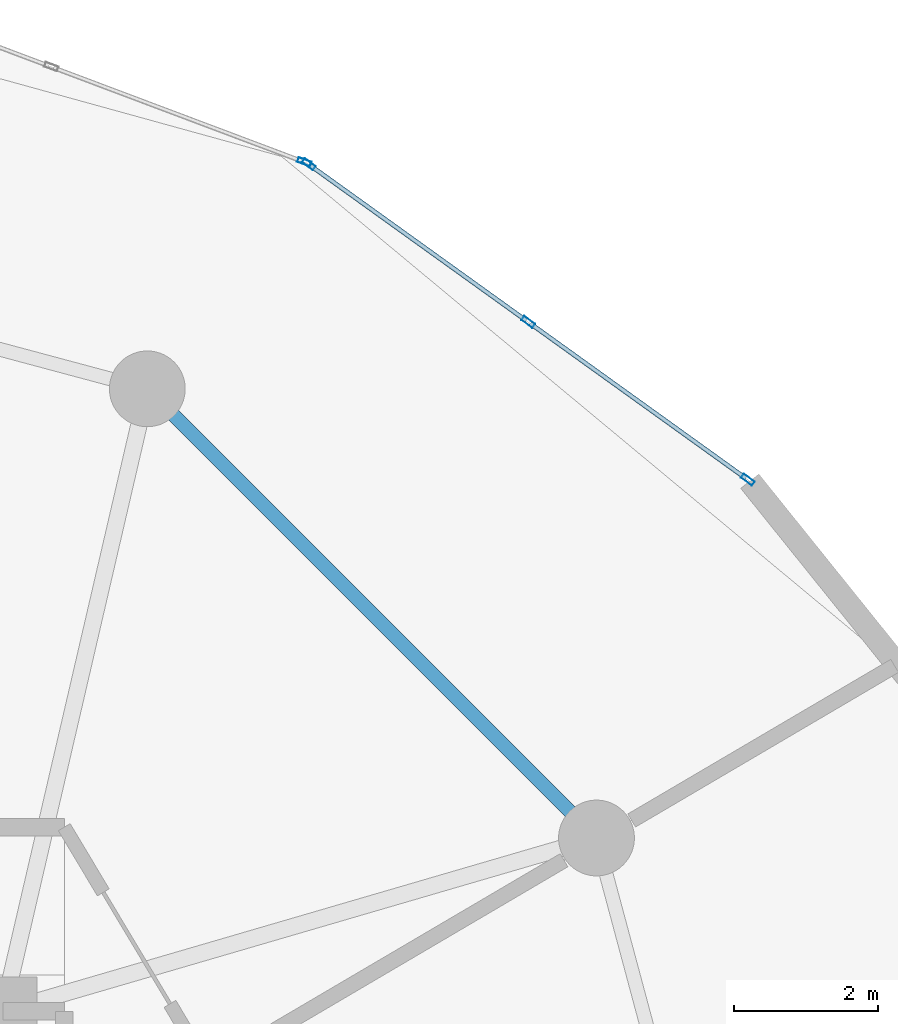
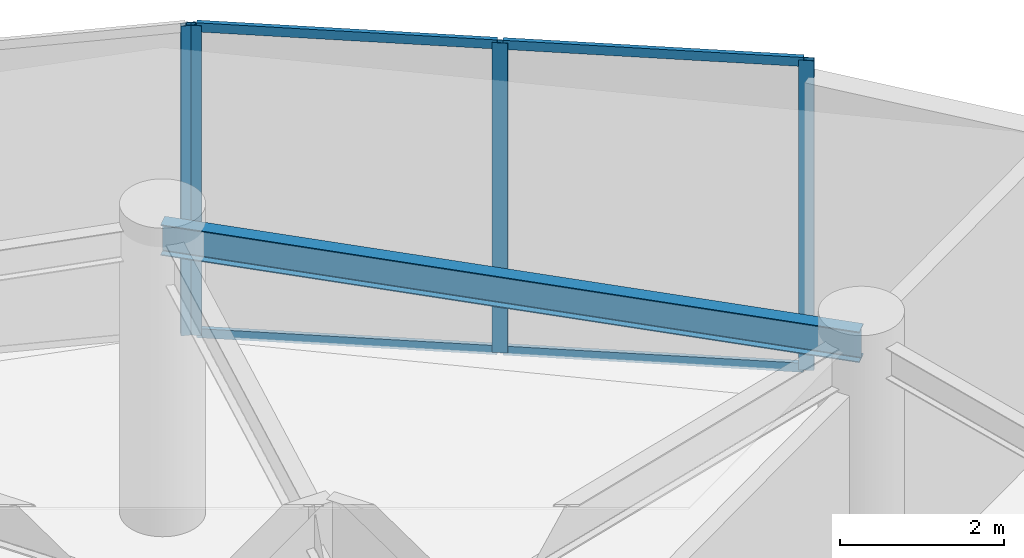
# One storey, part 22 of 28: 8 members, 1 beam, 2 elements without a shape of their own.
"""IFC4 building model written with IfcOpenShell, lengths in metres."""

from ifc_helpers import new_model, si_unit, direction, frame, origin, origin_2d, place, context, subcontext, project, spatial, hollow_rectangle, i_section, extrude, source, transform, mapped, material, layer, layer_set, material_profile, profile_set, type_object, element, aggregate, save


model = new_model("IFC4")

# Units and contexts
model_context = context("Model", 3, precision=1e-05, world=origin(), true_north=direction((0.0, 1.0)))
body_context = subcontext(model_context, "Body", "Model", "MODEL_VIEW")
ifc_project = project(units=[si_unit("LENGTHUNIT", "METRE"), si_unit("AREAUNIT", "SQUARE_METRE"), si_unit("VOLUMEUNIT", "CUBIC_METRE"), si_unit("PLANEANGLEUNIT", "RADIAN"), si_unit("MASSUNIT", "GRAM", prefix="KILO")], contexts=[model_context])

# Site, building, storey
site_placement = place(None, origin())
site = spatial("IfcSite", under=ifc_project, at=site_placement, CompositionType="ELEMENT")
building_placement = place(site_placement, origin())
building = spatial("IfcBuilding", under=site, at=building_placement, Name="Solvirekh Grand Hotel", CompositionType="ELEMENT")
storey_placement = place(building_placement, frame((0.0, 0.0, 98.0)))
storey = spatial("IfcBuildingStorey", under=building, at=storey_placement, Name="L24", CompositionType="ELEMENT", Elevation=98.0)

# Beam
ifc_material_1 = material(Name="Steel S355", Category="steel")
ifc_material_profile_1 = material_profile(ifc_material_1, i_section(OverallWidth=0.18994140625, OverallDepth=0.45703125, WebThickness=0.009033203125, FlangeThickness=0.013916015625, FilletRadius=0.012939453125, at=origin_2d()), Name="W460X74")
ifc_profile_set_1 = profile_set([ifc_material_profile_1], Name="Steel S355")
beam_type = type_object("IfcBeamType", Name="Spandrel_Ring_W460", PredefinedType="SPANDREL", material=ifc_profile_set_1)
beam_placement = place(storey_placement, frame((14.721923828125, 8.5, 4.12109375), z_axis=(-0.707106781187, 0.707106781187, 0.0), x_axis=(-0.707106781187, -0.707106781187, 0.0)))
element("IfcBeam", 1, at=beam_placement, inside=storey, type_object=beam_type, Name="L24 perimeter spandrel beam 2", PredefinedType="SPANDREL", context=body_context, shape_type="SweptSolid", body=[
    extrude(i_section(OverallWidth=0.18994140625, OverallDepth=0.45703125, WebThickness=0.009033203125, FlangeThickness=0.013916015625, FilletRadius=0.012939453125, at=origin_2d()), origin(), (0.0, 0.0, 1.0), 8.799072265625),
])

# Curtain wall, members
ifc_material_2 = material(Name="Anodized Bronze Aluminium 6063-T6", Category="aluminium")
ifc_layer = layer(ifc_material_2, 0.18994140625)
ifc_layer_set = layer_set([ifc_layer], Name="Anodized Bronze Aluminium 6063-T6")
curtain_wall_type = type_object("IfcCurtainWallType", Name="CW_Sys5_SkyLobbyPanoramaCW", PredefinedType="NOTDEFINED", material=ifc_layer_set)
curtain_wall_1_placement = place(storey_placement, origin())
curtain_wall_1 = element("IfcCurtainWall", 2, at=curtain_wall_1_placement, inside=storey, type_object=curtain_wall_type, Name="L24 unitised bronze-glass curtain wall CW-L24-C05", PredefinedType="NOTDEFINED")
ifc_material_profile_2 = material_profile(ifc_material_2, hollow_rectangle(XDim=0.070068359375, YDim=0.18994140625, WallThickness=0.0048828125, at=origin_2d()), Name="ALU RHS 190X70X5")
ifc_profile_set_2 = profile_set([ifc_material_profile_2], Name="Anodized Bronze Aluminium 6063-T6")
member_type_1 = type_object("IfcMemberType", Name="CWMullion_Sys5", PredefinedType="MULLION", material=ifc_profile_set_2)
shared_shape_1 = source(origin(), body_context, "Body", "SweptSolid", [
    extrude(hollow_rectangle(XDim=0.070068359375, YDim=0.18994140625, WallThickness=0.0048828125, at=origin_2d()), origin(), (0.0, 0.0, 1.0), 4.60009765625),
])
member_1_placement = place(storey_placement, frame((16.817626953125, 13.46337890625, 0.0), z_axis=(0.0, 0.0, 1.0), x_axis=(-0.58342612667, -0.812166211264, 0.0)))
member_1 = element("IfcMember", 3, at=member_1_placement, type_object=member_type_1, Name="U05 mullion 1", PredefinedType="MULLION", context=body_context, shape_type="MappedRepresentation", body=[
    mapped(shared_shape_1, transform((0.0, 0.0, 0.0), x_axis=(1.0, 0.0, 0.0), y_axis=(0.0, 1.0, 0.0), z_axis=(0.0, 0.0, 1.0), scale=1.0)),
])
member_2_placement = place(storey_placement, frame((13.776611328125, 15.64794921875, 0.0), z_axis=(0.0, 0.0, 1.0), x_axis=(-0.58342612667, -0.812166211264, 0.0)))
member_2 = element("IfcMember", 4, at=member_2_placement, type_object=member_type_1, Name="U05 mullion 2", PredefinedType="MULLION", context=body_context, shape_type="MappedRepresentation", body=[
    mapped(shared_shape_1, transform((0.0, 0.0, 0.0), x_axis=(1.0, 0.0, 0.0), y_axis=(0.0, 1.0, 0.0), z_axis=(0.0, 0.0, 1.0), scale=1.0)),
])
member_3_placement = place(storey_placement, frame((10.7353515625, 17.83251953125, 0.0), z_axis=(0.0, 0.0, 1.0), x_axis=(-0.58342612667, -0.812166211264, 0.0)))
member_3 = element("IfcMember", 5, at=member_3_placement, type_object=member_type_1, Name="U05 mullion 3", PredefinedType="MULLION", context=body_context, shape_type="MappedRepresentation", body=[
    mapped(shared_shape_1, transform((0.0, 0.0, 0.0), x_axis=(1.0, 0.0, 0.0), y_axis=(0.0, 1.0, 0.0), z_axis=(0.0, 0.0, 1.0), scale=1.0)),
])

# Curtain wall, member
curtain_wall_2_placement = place(storey_placement, origin())
curtain_wall_2 = element("IfcCurtainWall", 6, at=curtain_wall_2_placement, inside=storey, type_object=curtain_wall_type, Name="L24 unitised bronze-glass curtain wall CW-L24-C06", PredefinedType="NOTDEFINED")
member_4_placement = place(storey_placement, frame((10.67431640625, 17.865234375, 0.0), z_axis=(0.0, 0.0, 1.0), x_axis=(-0.352268419619, -0.935899011934, 0.0)))
member_4 = element("IfcMember", 7, at=member_4_placement, type_object=member_type_1, Name="U05 mullion 1", PredefinedType="MULLION", context=body_context, shape_type="MappedRepresentation", body=[
    mapped(shared_shape_1, transform((0.0, 0.0, 0.0), x_axis=(1.0, 0.0, 0.0), y_axis=(0.0, 1.0, 0.0), z_axis=(0.0, 0.0, 1.0), scale=1.0)),
])
aggregate(curtain_wall_2, [member_4])

# Member
ifc_material_profile_3 = material_profile(ifc_material_2, hollow_rectangle(XDim=0.06005859375, YDim=0.135009765625, WallThickness=0.00390625, at=origin_2d()), Name="ALU RHS 135X60X4")
ifc_profile_set_3 = profile_set([ifc_material_profile_3], Name="Anodized Bronze Aluminium 6063-T6")
member_type_2 = type_object("IfcMemberType", Name="CWTransom_Sys5", PredefinedType="USERDEFINED", material=ifc_profile_set_3)
shared_shape_2 = source(origin(), body_context, "Body", "SweptSolid", [
    extrude(hollow_rectangle(XDim=0.06005859375, YDim=0.135009765625, WallThickness=0.00390625, at=origin_2d()), origin(), (0.0, 0.0, 1.0), 3.67431640625),
])
member_5_placement = place(storey_placement, frame((16.7890625, 13.48388671875, 0.030029296875), z_axis=(-0.812150163828, 0.583448465072, 0.0), x_axis=(-0.583448465072, -0.812150163828, 0.0)))
member_5 = element("IfcMember", 8, at=member_5_placement, type_object=member_type_2, Name="U05 transom 1.1", ObjectType="TRANSOM", PredefinedType="USERDEFINED", context=body_context, shape_type="MappedRepresentation", body=[
    mapped(shared_shape_2, transform((0.0, 0.0, 0.0), x_axis=(1.0, 0.0, 0.0), y_axis=(0.0, 1.0, 0.0), z_axis=(0.0, 0.0, 1.0), scale=1.0)),
])

member_6_placement = place(storey_placement, frame((16.7890625, 13.48388671875, 4.570068359375), z_axis=(-0.812150163828, 0.583448465072, 0.0), x_axis=(-0.583448465072, -0.812150163828, 0.0)))
member_6 = element("IfcMember", 9, at=member_6_placement, type_object=member_type_2, Name="U05 transom 1.2", ObjectType="TRANSOM", PredefinedType="USERDEFINED", context=body_context, shape_type="MappedRepresentation", body=[
    mapped(shared_shape_2, transform((0.0, 0.0, 0.0), x_axis=(1.0, 0.0, 0.0), y_axis=(0.0, 1.0, 0.0), z_axis=(0.0, 0.0, 1.0), scale=1.0)),
])

member_7_placement = place(storey_placement, frame((13.748046875, 15.66845703125, 0.030029296875), z_axis=(-0.812150163828, 0.583448465072, 0.0), x_axis=(-0.583448465072, -0.812150163828, 0.0)))
member_7 = element("IfcMember", 10, at=member_7_placement, type_object=member_type_2, Name="U05 transom 2.1", ObjectType="TRANSOM", PredefinedType="USERDEFINED", context=body_context, shape_type="MappedRepresentation", body=[
    mapped(shared_shape_2, transform((0.0, 0.0, 0.0), x_axis=(1.0, 0.0, 0.0), y_axis=(0.0, 1.0, 0.0), z_axis=(0.0, 0.0, 1.0), scale=1.0)),
])

member_8_placement = place(storey_placement, frame((13.748046875, 15.66845703125, 4.570068359375), z_axis=(-0.812150163828, 0.583448465072, 0.0), x_axis=(-0.583448465072, -0.812150163828, 0.0)))
member_8 = element("IfcMember", 11, at=member_8_placement, type_object=member_type_2, Name="U05 transom 2.2", ObjectType="TRANSOM", PredefinedType="USERDEFINED", context=body_context, shape_type="MappedRepresentation", body=[
    mapped(shared_shape_2, transform((0.0, 0.0, 0.0), x_axis=(1.0, 0.0, 0.0), y_axis=(0.0, 1.0, 0.0), z_axis=(0.0, 0.0, 1.0), scale=1.0)),
])

aggregate(curtain_wall_1, [member_1, member_2, member_3, member_5, member_6, member_7, member_8])

save(model, "model.ifc")
